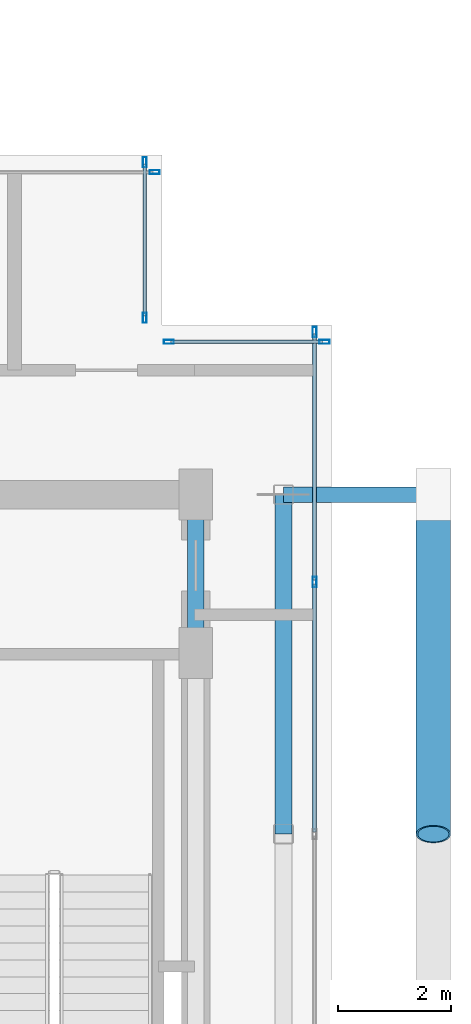
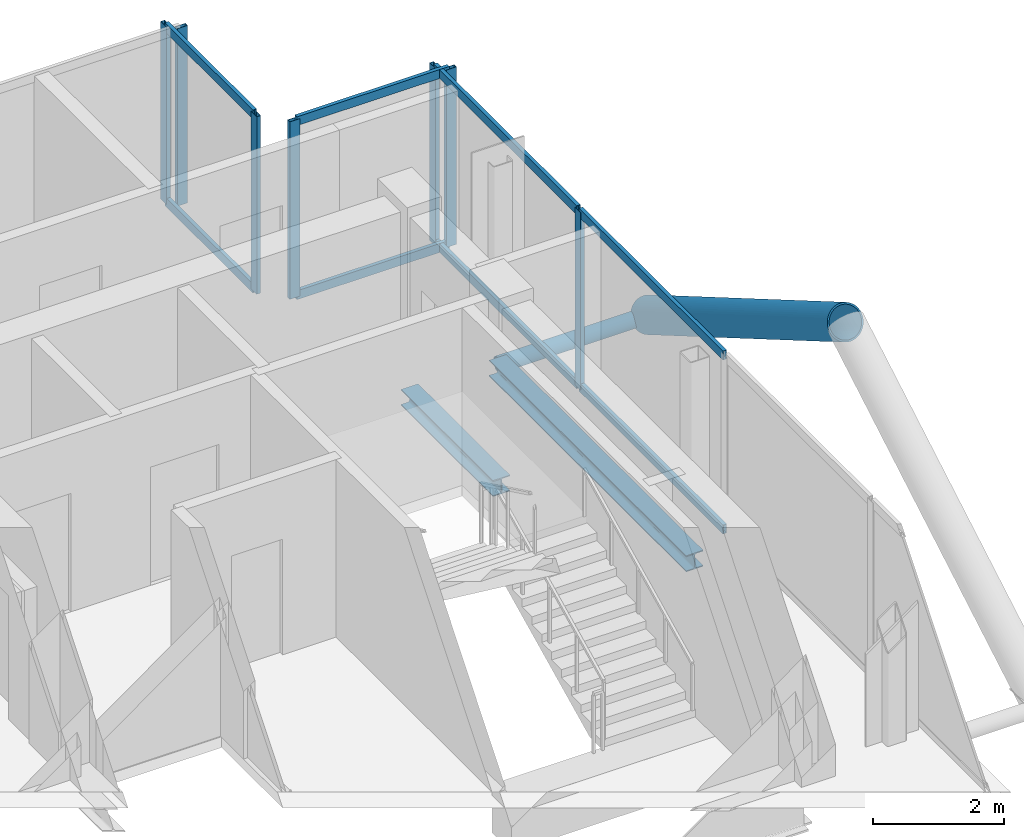
# One storey, part 13 of 19: 17 members, 2 beams, 4 elements without a shape of their own.
"""IFC4 building model written with IfcOpenShell, lengths in metres."""

from ifc_helpers import new_model, si_unit, direction, frame, origin, origin_2d, place, context, subcontext, project, spatial, hollow_rectangle, hollow_circle, i_section, extrude, material, layer, layer_set, material_profile, profile_set, type_object, element, aggregate, save


model = new_model("IFC4")

# Units and contexts
model_context = context("Model", 3, precision=1e-05, world=origin(), true_north=direction((0.0, 1.0)))
body_context = subcontext(model_context, "Body", "Model", "MODEL_VIEW")
ifc_project = project(units=[si_unit("LENGTHUNIT", "METRE"), si_unit("AREAUNIT", "SQUARE_METRE"), si_unit("VOLUMEUNIT", "CUBIC_METRE"), si_unit("PLANEANGLEUNIT", "RADIAN"), si_unit("MASSUNIT", "GRAM", prefix="KILO"), si_unit("THERMODYNAMICTEMPERATUREUNIT", "KELVIN"), si_unit("POWERUNIT", "WATT")], contexts=[model_context])

# Site, building, storey
site_placement = place(None, origin())
site = spatial("IfcSite", under=ifc_project, at=site_placement, CompositionType="ELEMENT")
building_placement = place(site_placement, origin())
building = spatial("IfcBuilding", under=site, at=building_placement, Name="Svarakhadi Broadcast Tower", CompositionType="ELEMENT")
storey_placement = place(building_placement, frame((0.0, 0.0, 243.199951171875)))
storey = spatial("IfcBuildingStorey", under=building, at=storey_placement, Name="L60", CompositionType="ELEMENT", Elevation=243.199951171875)

# Curtain wall, member
ifc_material_1 = material(Name="Anodised Bronze Aluminium AA 6063-T6", Category="aluminium")
ifc_layer = layer(ifc_material_1, 0.179931640625)
ifc_layer_set = layer_set([ifc_layer], Name="Anodised Bronze Aluminium AA 6063-T6")
curtain_wall_type = type_object("IfcCurtainWallType", Name="CW_Sys_05", PredefinedType="NOTDEFINED", material=ifc_layer_set)
curtain_wall_1_placement = place(storey_placement, origin())
curtain_wall_1 = element("IfcCurtainWall", 1, at=curtain_wall_1_placement, inside=storey, type_object=curtain_wall_type, Name="L60 Unitised Facade Curtain Wall 09", PredefinedType="NOTDEFINED")
ifc_material_profile_1 = material_profile(ifc_material_1, hollow_rectangle(XDim=0.070068359375, YDim=0.179931640625, WallThickness=0.005615234375, at=origin_2d()), Name="ALU MULLION 180x70x6")
ifc_profile_set_1 = profile_set([ifc_material_profile_1], Name="Anodised Bronze Aluminium AA 6063-T6")
member_type_1 = type_object("IfcMemberType", Name="CW_Sys_05_Mul", PredefinedType="MULLION", material=ifc_profile_set_1)
member_1_placement = place(storey_placement, frame((32.875, 23.699951171875, 0.0), z_axis=(0.0, 0.0, 1.0), x_axis=(0.0, 1.0, 0.0)))
member_1 = element("IfcMember", 2, at=member_1_placement, type_object=member_type_1, Name="CW-05 mullion 2", PredefinedType="MULLION", context=body_context, shape_type="SweptSolid", body=[
    extrude(hollow_rectangle(XDim=0.070068359375, YDim=0.179931640625, WallThickness=0.005615234375, at=origin_2d()), origin(), (0.0, 0.0, 1.0), 3.300048828125),
])
aggregate(curtain_wall_1, [member_1])

# Curtain wall, members
curtain_wall_2_placement = place(storey_placement, origin())
curtain_wall_2 = element("IfcCurtainWall", 3, at=curtain_wall_2_placement, inside=storey, type_object=curtain_wall_type, Name="L60 Unitised Facade Curtain Wall 10", PredefinedType="NOTDEFINED")
member_2_placement = place(storey_placement, frame((32.699951171875, 23.875, 0.0), z_axis=(0.0, 0.0, 1.0), x_axis=(1.0, 0.0, 0.0)))
member_2 = element("IfcMember", 4, at=member_2_placement, type_object=member_type_1, Name="CW-05 mullion 1", PredefinedType="MULLION", context=body_context, shape_type="SweptSolid", body=[
    extrude(hollow_rectangle(XDim=0.070068359375, YDim=0.179931640625, WallThickness=0.005615234375, at=origin_2d()), origin(), (0.0, 0.0, 1.0), 3.300048828125),
])
member_3_placement = place(storey_placement, frame((32.699951171875, 21.125, 0.0), z_axis=(0.0, 0.0, 1.0), x_axis=(1.0, 0.0, 0.0)))
member_3 = element("IfcMember", 5, at=member_3_placement, type_object=member_type_1, Name="CW-05 mullion 2", PredefinedType="MULLION", context=body_context, shape_type="SweptSolid", body=[
    extrude(hollow_rectangle(XDim=0.070068359375, YDim=0.179931640625, WallThickness=0.005615234375, at=origin_2d()), origin(), (0.0, 0.0, 1.0), 3.300048828125),
])

curtain_wall_3_placement = place(storey_placement, origin())
curtain_wall_3 = element("IfcCurtainWall", 6, at=curtain_wall_3_placement, inside=storey, type_object=curtain_wall_type, Name="L60 Unitised Facade Curtain Wall 11", PredefinedType="NOTDEFINED")
member_4_placement = place(storey_placement, frame((33.125, 20.699951171875, 0.0), z_axis=(0.0, 0.0, 1.0), x_axis=(0.0, 1.0, 0.0)))
member_4 = element("IfcMember", 7, at=member_4_placement, type_object=member_type_1, Name="CW-05 mullion 1", PredefinedType="MULLION", context=body_context, shape_type="SweptSolid", body=[
    extrude(hollow_rectangle(XDim=0.070068359375, YDim=0.179931640625, WallThickness=0.005615234375, at=origin_2d()), origin(), (0.0, 0.0, 1.0), 3.300048828125),
])
member_5_placement = place(storey_placement, frame((35.875, 20.699951171875, 0.0), z_axis=(0.0, 0.0, 1.0), x_axis=(0.0, 1.0, 0.0)))
member_5 = element("IfcMember", 8, at=member_5_placement, type_object=member_type_1, Name="CW-05 mullion 2", PredefinedType="MULLION", context=body_context, shape_type="SweptSolid", body=[
    extrude(hollow_rectangle(XDim=0.070068359375, YDim=0.179931640625, WallThickness=0.005615234375, at=origin_2d()), origin(), (0.0, 0.0, 1.0), 3.300048828125),
])

curtain_wall_4_placement = place(storey_placement, origin())
curtain_wall_4 = element("IfcCurtainWall", 9, at=curtain_wall_4_placement, inside=storey, type_object=curtain_wall_type, Name="L60 Unitised Facade Curtain Wall 12", PredefinedType="NOTDEFINED")
member_6_placement = place(storey_placement, frame((35.699951171875, 20.875, 0.0), z_axis=(0.0, 0.0, 1.0), x_axis=(1.0, 0.0, 0.0)))
member_6 = element("IfcMember", 10, at=member_6_placement, type_object=member_type_1, Name="CW-05 mullion 1", PredefinedType="MULLION", context=body_context, shape_type="SweptSolid", body=[
    extrude(hollow_rectangle(XDim=0.070068359375, YDim=0.179931640625, WallThickness=0.005615234375, at=origin_2d()), origin(), (0.0, 0.0, 1.0), 3.300048828125),
])
member_7_placement = place(storey_placement, frame((35.699951171875, 16.455078125, 0.0), z_axis=(0.0, 0.0, 1.0), x_axis=(1.0, 0.0, 0.0)))
member_7 = element("IfcMember", 11, at=member_7_placement, type_object=member_type_1, Name="CW-05 mullion 2", PredefinedType="MULLION", context=body_context, shape_type="SweptSolid", body=[
    extrude(hollow_rectangle(XDim=0.070068359375, YDim=0.179931640625, WallThickness=0.005615234375, at=origin_2d()), origin(), (0.0, 0.0, 1.0), 3.300048828125),
])

# Member
ifc_material_profile_2 = material_profile(ifc_material_1, hollow_rectangle(XDim=0.06494140625, YDim=0.1650390625, WallThickness=0.0048828125, at=origin_2d()), Name="ALU TRANSOM 165x65x5")
ifc_profile_set_2 = profile_set([ifc_material_profile_2], Name="Anodised Bronze Aluminium AA 6063-T6")
member_type_2 = type_object("IfcMemberType", Name="CW_Sys_05_Trn", PredefinedType="USERDEFINED", material=ifc_profile_set_2)
member_8_placement = place(storey_placement, frame((32.699951171875, 23.840087890625, 0.032470703125), z_axis=(0.0, -1.0, 0.0), x_axis=(1.0, 0.0, 0.0)))
member_8 = element("IfcMember", 12, at=member_8_placement, type_object=member_type_2, Name="CW-05 transom 1.1", ObjectType="TRANSOM", PredefinedType="USERDEFINED", context=body_context, shape_type="SweptSolid", body=[
    extrude(hollow_rectangle(XDim=0.06494140625, YDim=0.1650390625, WallThickness=0.0048828125, at=origin_2d()), origin(), (0.0, 0.0, 1.0), 2.68017578125),
])

member_9_placement = place(storey_placement, frame((32.699951171875, 23.840087890625, 3.267578125), z_axis=(0.0, -1.0, 0.0), x_axis=(1.0, 0.0, 0.0)))
member_9 = element("IfcMember", 13, at=member_9_placement, type_object=member_type_2, Name="CW-05 transom 1.2", ObjectType="TRANSOM", PredefinedType="USERDEFINED", context=body_context, shape_type="SweptSolid", body=[
    extrude(hollow_rectangle(XDim=0.06494140625, YDim=0.1650390625, WallThickness=0.0048828125, at=origin_2d()), origin(), (0.0, 0.0, 1.0), 2.68017578125),
])

aggregate(curtain_wall_2, [member_2, member_3, member_8, member_9])

member_10_placement = place(storey_placement, frame((33.159912109375, 20.699951171875, 0.032470703125), z_axis=(1.0, 0.0, 0.0), x_axis=(0.0, 1.0, 0.0)))
member_10 = element("IfcMember", 14, at=member_10_placement, type_object=member_type_2, Name="CW-05 transom 1.1", ObjectType="TRANSOM", PredefinedType="USERDEFINED", context=body_context, shape_type="SweptSolid", body=[
    extrude(hollow_rectangle(XDim=0.06494140625, YDim=0.1650390625, WallThickness=0.0048828125, at=origin_2d()), origin(), (0.0, 0.0, 1.0), 2.68017578125),
])

member_11_placement = place(storey_placement, frame((33.159912109375, 20.699951171875, 3.267578125), z_axis=(1.0, 0.0, 0.0), x_axis=(0.0, 1.0, 0.0)))
member_11 = element("IfcMember", 15, at=member_11_placement, type_object=member_type_2, Name="CW-05 transom 1.2", ObjectType="TRANSOM", PredefinedType="USERDEFINED", context=body_context, shape_type="SweptSolid", body=[
    extrude(hollow_rectangle(XDim=0.06494140625, YDim=0.1650390625, WallThickness=0.0048828125, at=origin_2d()), origin(), (0.0, 0.0, 1.0), 2.68017578125),
])

aggregate(curtain_wall_3, [member_4, member_5, member_10, member_11])

member_12_placement = place(storey_placement, frame((35.699951171875, 20.840087890625, 0.032470703125), z_axis=(0.0, -1.0, 0.0), x_axis=(1.0, 0.0, 0.0)))
member_12 = element("IfcMember", 16, at=member_12_placement, type_object=member_type_2, Name="CW-05 transom 1.1", ObjectType="TRANSOM", PredefinedType="USERDEFINED", context=body_context, shape_type="SweptSolid", body=[
    extrude(hollow_rectangle(XDim=0.06494140625, YDim=0.1650390625, WallThickness=0.0048828125, at=origin_2d()), origin(), (0.0, 0.0, 1.0), 4.35009765625),
])

member_13_placement = place(storey_placement, frame((35.699951171875, 20.840087890625, 3.267578125), z_axis=(0.0, -1.0, 0.0), x_axis=(1.0, 0.0, 0.0)))
member_13 = element("IfcMember", 17, at=member_13_placement, type_object=member_type_2, Name="CW-05 transom 1.2", ObjectType="TRANSOM", PredefinedType="USERDEFINED", context=body_context, shape_type="SweptSolid", body=[
    extrude(hollow_rectangle(XDim=0.06494140625, YDim=0.1650390625, WallThickness=0.0048828125, at=origin_2d()), origin(), (0.0, 0.0, 1.0), 4.35009765625),
])

member_14_placement = place(storey_placement, frame((35.699951171875, 16.419921875, 0.032470703125), z_axis=(0.0, -1.0, 0.0), x_axis=(1.0, 0.0, 0.0)))
member_14 = element("IfcMember", 18, at=member_14_placement, type_object=member_type_2, Name="CW-05 transom 2.1", ObjectType="TRANSOM", PredefinedType="USERDEFINED", context=body_context, shape_type="SweptSolid", body=[
    extrude(hollow_rectangle(XDim=0.06494140625, YDim=0.1650390625, WallThickness=0.0048828125, at=origin_2d()), origin(), (0.0, 0.0, 1.0), 4.385009765625),
])

member_15_placement = place(storey_placement, frame((35.699951171875, 16.419921875, 3.267578125), z_axis=(0.0, -1.0, 0.0), x_axis=(1.0, 0.0, 0.0)))
member_15 = element("IfcMember", 19, at=member_15_placement, type_object=member_type_2, Name="CW-05 transom 2.2", ObjectType="TRANSOM", PredefinedType="USERDEFINED", context=body_context, shape_type="SweptSolid", body=[
    extrude(hollow_rectangle(XDim=0.06494140625, YDim=0.1650390625, WallThickness=0.0048828125, at=origin_2d()), origin(), (0.0, 0.0, 1.0), 4.385009765625),
])

aggregate(curtain_wall_4, [member_6, member_7, member_12, member_13, member_14, member_15])

# Members
ifc_material_2 = material(Name="Steel S460ML (IS 2062 E450BR)", Category="steel")
ifc_material_profile_3 = material_profile(ifc_material_2, hollow_circle(Radius=0.304931640625, WallThickness=0.030029296875, at=origin_2d()), Name="CHS 610x30")
ifc_profile_set_3 = profile_set([ifc_material_profile_3], Name="Steel S460ML (IS 2062 E450BR)")
member_type_3 = type_object("IfcMemberType", Name="Exo_Brace_CHS610", PredefinedType="BRACE", material=ifc_profile_set_3)
member_16_placement = place(storey_placement, frame((37.800048828125, 18.0, -0.33642578125), z_axis=(0.0, -0.863778900898, 0.503871025524), x_axis=(1.0, 0.0, 0.0)))
element("IfcMember", 20, at=member_16_placement, inside=storey, type_object=member_type_3, Name="L60 Exposed Bronze Exoskeleton Diagonal E05", PredefinedType="BRACE", context=body_context, shape_type="SweptSolid", body=[
    extrude(hollow_circle(Radius=0.304931640625, WallThickness=0.030029296875, at=origin_2d()), origin(), (0.0, 0.0, 1.0), 6.9462890625),
])
ifc_material_profile_4 = material_profile(ifc_material_2, hollow_circle(Radius=0.136474609375, WallThickness=0.012451171875, at=origin_2d()), Name="CHS 273x12.5")
ifc_profile_set_4 = profile_set([ifc_material_profile_4], Name="Steel S460ML (IS 2062 E450BR)")
member_type_4 = type_object("IfcMemberType", Name="Exo_Radial_Strut_Z3", PredefinedType="STRUT", material=ifc_profile_set_4)
member_17_placement = place(storey_placement, frame((37.800048828125, 18.0, -0.33642578125), z_axis=(-1.0, 0.0, 0.0), x_axis=(0.0, -1.0, 0.0)))
element("IfcMember", 21, at=member_17_placement, inside=storey, type_object=member_type_4, Name="L60 Exoskeleton Radial Tie Strut E06", PredefinedType="STRUT", context=body_context, shape_type="SweptSolid", body=[
    extrude(hollow_circle(Radius=0.136474609375, WallThickness=0.012451171875, at=origin_2d()), origin(), (0.0, 0.0, 1.0), 2.650146484375),
])

# Beams
ifc_material_3 = material(Name="Steel S355J2 (IS 2062 E350C)", Category="steel")
ifc_material_profile_5 = material_profile(ifc_material_3, i_section(OverallWidth=0.300048828125, OverallDepth=0.300048828125, WebThickness=0.010986328125, FlangeThickness=0.01904296875, FilletRadius=0.027099609375, at=origin_2d()), Name="WPB 300x300x117")
ifc_profile_set_5 = profile_set([ifc_material_profile_5], Name="Steel S355J2 (IS 2062 E350C)")
beam_type = type_object("IfcBeamType", Name="Girder_WPB300", PredefinedType="USERDEFINED", material=ifc_profile_set_5)
beam_1_placement = place(storey_placement, frame((33.60009765625, 15.199951171875, -0.349853515625), z_axis=(0.0, 1.0, 0.0), x_axis=(-1.0, 0.0, 0.0)))
element("IfcBeam", 22, at=beam_1_placement, inside=storey, type_object=beam_type, Name="L60 Primary N-S Girder G044", ObjectType="GIRDER", PredefinedType="USERDEFINED", context=body_context, shape_type="SweptSolid", body=[
    extrude(i_section(OverallWidth=0.300048828125, OverallDepth=0.300048828125, WebThickness=0.010986328125, FlangeThickness=0.01904296875, FilletRadius=0.027099609375, at=origin_2d()), origin(), (0.0, 0.0, 1.0), 2.800048828125),
])
beam_2_placement = place(storey_placement, frame((35.14990234375, 12.0, -0.349853515625), z_axis=(0.0, 1.0, 0.0), x_axis=(-1.0, 0.0, 0.0)))
element("IfcBeam", 23, at=beam_2_placement, inside=storey, type_object=beam_type, Name="L60 Primary N-S Girder G046", ObjectType="GIRDER", PredefinedType="USERDEFINED", context=body_context, shape_type="SweptSolid", body=[
    extrude(i_section(OverallWidth=0.300048828125, OverallDepth=0.300048828125, WebThickness=0.010986328125, FlangeThickness=0.01904296875, FilletRadius=0.027099609375, at=origin_2d()), origin(), (0.0, 0.0, 1.0), 6.0),
])

save(model, "model.ifc")
